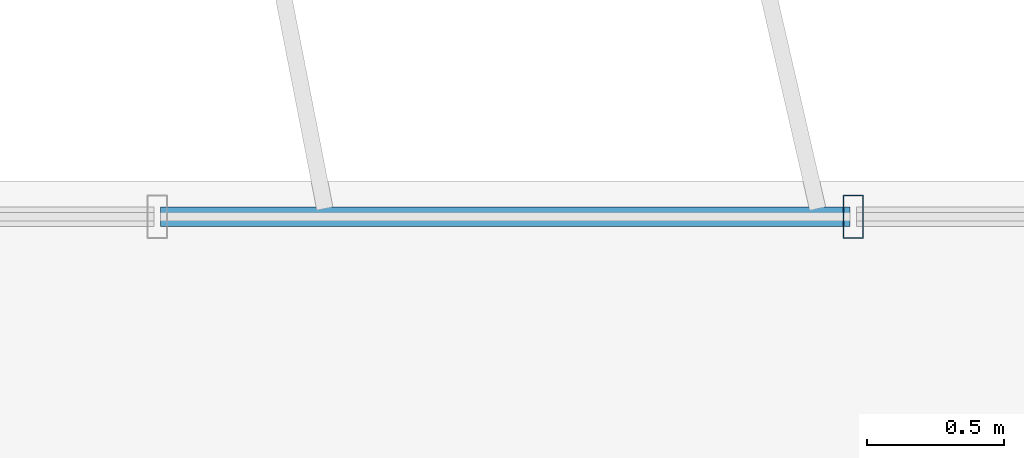
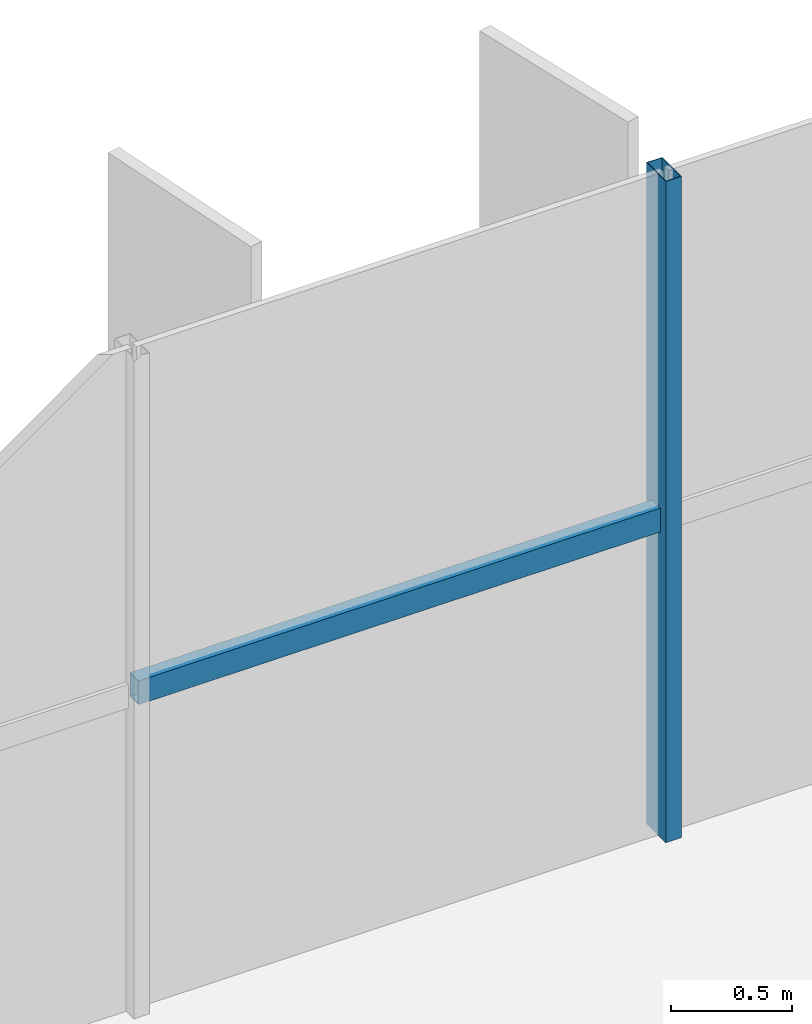
# One storey, part 8 of 22: 2 members, 1 element without a shape of its own.
"""IFC4 building model written with IfcOpenShell, lengths in metres."""

from ifc_helpers import new_model, si_unit, direction, frame, origin, origin_2d, place, context, subcontext, project, spatial, hollow_rectangle, extrude, source, transform, mapped, material, material_profile, profile_set, type_object, element, aggregate, save


model = new_model("IFC4")

# Units and contexts
model_context = context("Model", 3, precision=1e-05, world=origin(), true_north=direction((0.0, 1.0)))
body_context = subcontext(model_context, "Body", "Model", "MODEL_VIEW")
ifc_project = project(units=[si_unit("LENGTHUNIT", "METRE"), si_unit("AREAUNIT", "SQUARE_METRE"), si_unit("VOLUMEUNIT", "CUBIC_METRE"), si_unit("PLANEANGLEUNIT", "RADIAN"), si_unit("MASSUNIT", "GRAM", prefix="KILO")], contexts=[model_context])

# Site, building, storey
site_placement = place(None, origin())
site = spatial("IfcSite", under=ifc_project, at=site_placement, CompositionType="ELEMENT")
building_placement = place(site_placement, origin())
building = spatial("IfcBuilding", under=site, at=building_placement, Name="Trelvane Seafront Commons", CompositionType="ELEMENT")
storey_placement = place(building_placement, frame((0.0, 0.0, 45.10009765625)))
storey = spatial("IfcBuildingStorey", under=building, at=storey_placement, Name="L11", CompositionType="ELEMENT", Elevation=45.10009765625)

# Curtain wall, members
ifc_material = material(Name="Anodised pale-silver aluminium", Category="aluminium")
curtain_wall_type = type_object("IfcCurtainWallType", Name="ARCH-CW2-LOWTOWER", PredefinedType="NOTDEFINED", material=ifc_material)
curtain_wall_placement = place(storey_placement, origin())
curtain_wall = element("IfcCurtainWall", 1, at=curtain_wall_placement, inside=storey, type_object=curtain_wall_type, Name="CW-L11-0035", PredefinedType="NOTDEFINED")
ifc_material_profile_1 = material_profile(ifc_material, hollow_rectangle(XDim=0.070068359375, YDim=0.1201171875, WallThickness=0.00390625, at=origin_2d()), Name="TRAN-70x120x4")
ifc_profile_set_1 = profile_set([ifc_material_profile_1], Name="Anodised pale-silver aluminium")
member_type_1 = type_object("IfcMemberType", Name="ARCH-CW-TRAN-120", PredefinedType="USERDEFINED", material=ifc_profile_set_1)
shared_shape_1 = source(origin(), body_context, "Body", "SweptSolid", [
    extrude(hollow_rectangle(XDim=0.070068359375, YDim=0.1201171875, WallThickness=0.00390625, at=origin_2d()), origin(), (0.0, 0.0, 1.0), 2.517333984375),
])
member_1_placement = place(storey_placement, frame((33.400146484375, 48.3701171875, 1.602783203125), z_axis=(1.0, 0.0, 0.0), x_axis=(0.0, 1.0, 0.0)))
member_1 = element("IfcMember", 2, at=member_1_placement, type_object=member_type_1, Name="CW-L11-0035-T07", ObjectType="TRANSOM", PredefinedType="USERDEFINED", context=body_context, shape_type="MappedRepresentation", body=[
    mapped(shared_shape_1, transform((0.0, 0.0, 0.0), x_axis=(1.0, 0.0, 0.0), y_axis=(0.0, 1.0, 0.0), z_axis=(0.0, 0.0, 1.0), scale=1.0)),
])
ifc_material_profile_2 = material_profile(ifc_material, hollow_rectangle(XDim=0.074951171875, YDim=0.159912109375, WallThickness=0.00390625, at=origin_2d()), Name="MULL-75x160x4")
ifc_profile_set_2 = profile_set([ifc_material_profile_2], Name="Anodised pale-silver aluminium")
member_type_2 = type_object("IfcMemberType", Name="ARCH-CW-MULL-160", PredefinedType="MULLION", material=ifc_profile_set_2)
shared_shape_2 = source(origin(), body_context, "Body", "SweptSolid", [
    extrude(hollow_rectangle(XDim=0.074951171875, YDim=0.159912109375, WallThickness=0.00390625, at=origin_2d()), origin(), (0.0, 0.0, 1.0), 3.33984375),
])
member_2_placement = place(storey_placement, frame((35.929443359375, 48.3701171875, 0.0), z_axis=(0.0, 0.0, 1.0), x_axis=(1.0, 0.0, 0.0)))
member_2 = element("IfcMember", 3, at=member_2_placement, type_object=member_type_2, Name="CW-L11-0035-M08", PredefinedType="MULLION", context=body_context, shape_type="MappedRepresentation", body=[
    mapped(shared_shape_2, transform((0.0, 0.0, 0.0), x_axis=(1.0, 0.0, 0.0), y_axis=(0.0, 1.0, 0.0), z_axis=(0.0, 0.0, 1.0), scale=1.0)),
])
aggregate(curtain_wall, [member_2, member_1])

save(model, "model.ifc")
